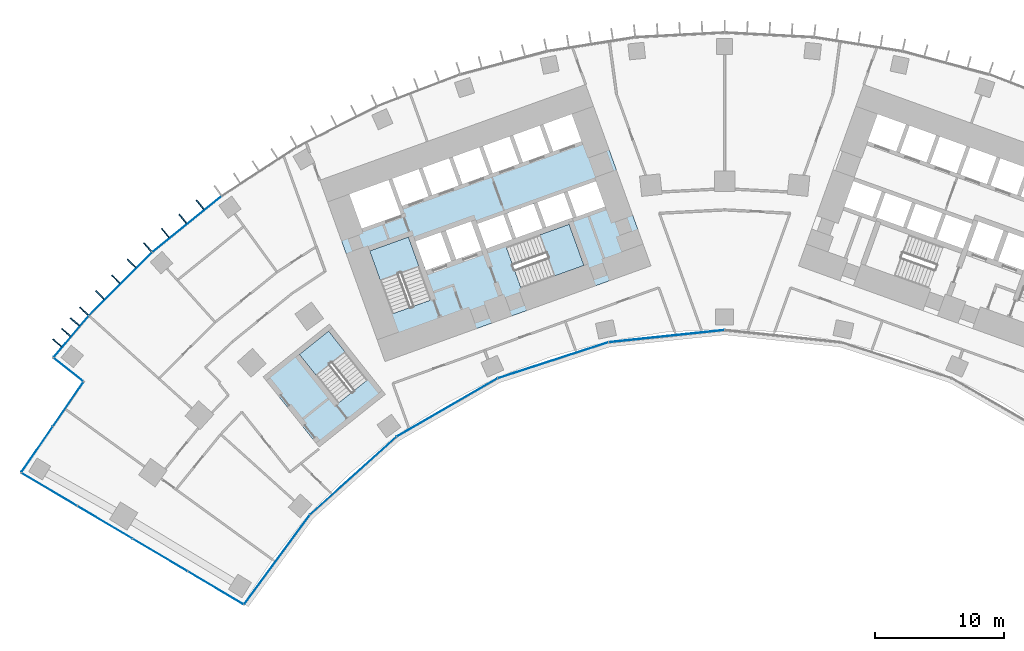
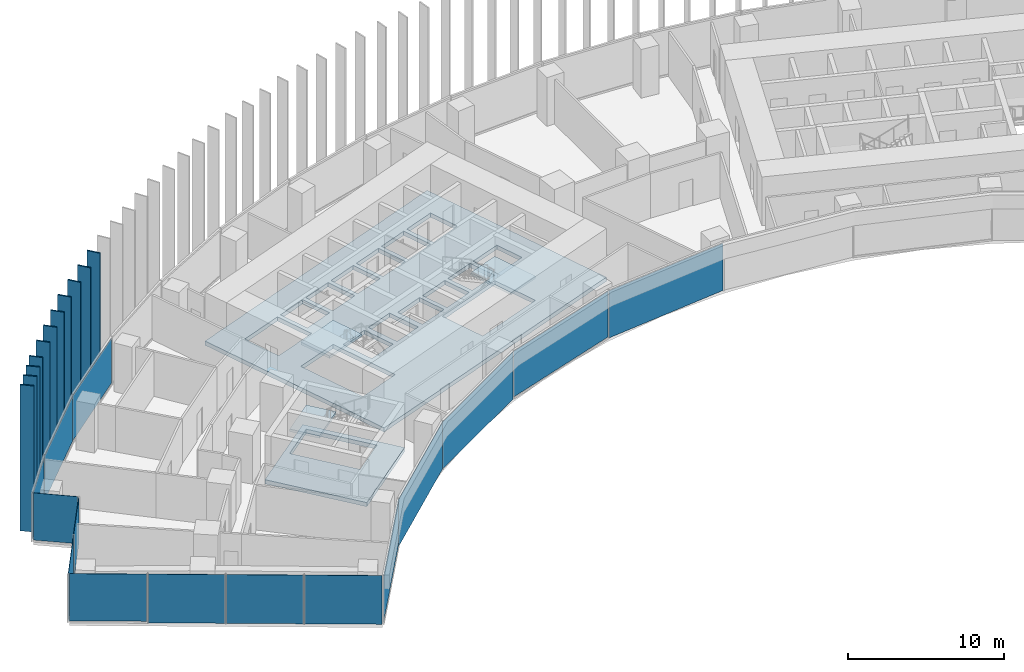
# One storey, part 15 of 25: 26 plates, 5 slabs, 8 elements without a shape of their own.
"""IFC4 building model written with IfcOpenShell, lengths in metres."""

from ifc_helpers import new_model, si_unit, direction, frame, origin, origin_2d, place, context, subcontext, project, spatial, polyline, rectangle, outline, extrude, material, layer, layer_set, type_object, element, aggregate, save


model = new_model("IFC4")

# Units and contexts
model_context = context("Model", 3, precision=1e-05, world=origin(), true_north=direction((0.0, 1.0)))
body_context = subcontext(model_context, "Body", "Model", "MODEL_VIEW")
ifc_project = project(units=[si_unit("LENGTHUNIT", "METRE"), si_unit("AREAUNIT", "SQUARE_METRE"), si_unit("VOLUMEUNIT", "CUBIC_METRE"), si_unit("PLANEANGLEUNIT", "RADIAN"), si_unit("MASSUNIT", "GRAM", prefix="KILO")], contexts=[model_context])

# Site, building, storey
site_placement = place(None, origin())
site = spatial("IfcSite", under=ifc_project, at=site_placement, CompositionType="ELEMENT")
building_placement = place(site_placement, origin())
building = spatial("IfcBuilding", under=site, at=building_placement, Name="Stone Belt Terrace Tower", CompositionType="ELEMENT")
storey_placement = place(building_placement, frame((0.0, 0.0, 52.800048828125)))
storey = spatial("IfcBuildingStorey", under=building, at=storey_placement, Name="L12", CompositionType="ELEMENT", Elevation=52.800048828125)

# Curtain wall, plates
ifc_material_1 = material(Name="Aluminium 6063-T6 anodised frame", Category="aluminium")
ifc_layer_1 = layer(ifc_material_1, 0.14990234375)
ifc_layer_set_1 = layer_set([ifc_layer_1], Name="CW-A unitised convex-face curtain wall")
curtain_wall_type_1 = type_object("IfcCurtainWallType", Name="CW-A unitised convex-face curtain wall", PredefinedType="NOTDEFINED", material=ifc_layer_set_1)
curtain_wall_1_placement = place(storey_placement, origin())
curtain_wall_1 = element("IfcCurtainWall", 1, at=curtain_wall_1_placement, inside=storey, type_object=curtain_wall_type_1, Name="CW-A convex face L12", PredefinedType="NOTDEFINED")
ifc_material_2 = material(Name="Clear double glazed unit")
ifc_layer_2 = layer(ifc_material_2, 0.031982421875)
ifc_layer_set_2 = layer_set([ifc_layer_2], Name="CW-A glass panel 32")
plate_type_1 = type_object("IfcPlateType", Name="CW-A glass panel 32", PredefinedType="CURTAIN_PANEL", material=ifc_layer_set_2)
plate_1_placement = place(storey_placement, frame((-41.839599609375, 51.667724609375, 0.139892578125), z_axis=(0.0, 0.0, 1.0), x_axis=(-0.777145961457, -0.62932039105, 0.0)))
plate_1 = element("IfcPlate", 2, at=plate_1_placement, type_object=plate_type_1, Name="CW-A panel 16.1", PredefinedType="CURTAIN_PANEL", context=body_context, shape_type="SweptSolid", body=[
    extrude(rectangle(XDim=6.90087890625, YDim=0.031982421875, at=origin_2d()), origin(), (0.0, 0.0, 1.0), 3.52001953125),
])
plate_2_placement = place(storey_placement, frame((-47.01123046875, 47.01123046875, 0.139892578125), z_axis=(0.0, 0.0, 1.0), x_axis=(-0.707106781187, -0.707106781187, 0.0)))
plate_2 = element("IfcPlate", 3, at=plate_2_placement, type_object=plate_type_1, Name="CW-A panel 17.1", PredefinedType="CURTAIN_PANEL", context=body_context, shape_type="SweptSolid", body=[
    extrude(rectangle(XDim=6.90087890625, YDim=0.031982421875, at=origin_2d()), origin(), (0.0, 0.0, 1.0), 3.52001953125),
])
plate_3_placement = place(storey_placement, frame((-50.84423828125, 42.92626953125, 0.139892578125), z_axis=(0.0, 0.0, 1.0), x_axis=(-0.645291395384, -0.763936525533, 0.0)))
plate_3 = element("IfcPlate", 4, at=plate_3_placement, type_object=plate_type_1, Name="CW-A panel 18.1", PredefinedType="CURTAIN_PANEL", context=body_context, shape_type="SweptSolid", body=[
    extrude(rectangle(XDim=4.17919921875, YDim=0.031982421875, at=origin_2d()), origin(), (0.0, 0.0, 1.0), 3.52001953125),
])
aggregate(curtain_wall_1, [plate_1, plate_2, plate_3])

ifc_layer_3 = layer(ifc_material_1, 0.14990234375)
ifc_layer_set_3 = layer_set([ifc_layer_3], Name="CW-B unitised concave-face curtain wall")
curtain_wall_type_2 = type_object("IfcCurtainWallType", Name="CW-B unitised concave-face curtain wall", PredefinedType="NOTDEFINED", material=ifc_layer_set_3)
curtain_wall_2_placement = place(storey_placement, origin())
curtain_wall_2 = element("IfcCurtainWall", 5, at=curtain_wall_2_placement, inside=storey, type_object=curtain_wall_type_2, Name="CW-B concave face L12", PredefinedType="NOTDEFINED")
ifc_layer_4 = layer(ifc_material_2, 0.030029296875)
ifc_layer_set_4 = layer_set([ifc_layer_4], Name="CW-B glass panel 30")
plate_type_2 = type_object("IfcPlateType", Name="CW-B glass panel 30", PredefinedType="CURTAIN_PANEL", material=ifc_layer_set_4)
plate_4_placement = place(storey_placement, frame((-34.831787109375, 25.57177734375, 0.119873046875), z_axis=(0.0, 0.0, 1.0), x_axis=(0.592159017675, 0.805821132626, 0.0)))
plate_4 = element("IfcPlate", 6, at=plate_4_placement, type_object=plate_type_2, Name="CW-B panel 1.1", PredefinedType="CURTAIN_PANEL", context=body_context, shape_type="SweptSolid", body=[
    extrude(rectangle(XDim=8.583984375, YDim=0.030029296875, at=origin_2d()), origin(), (0.0, 0.0, 1.0), 3.56005859375),
])
plate_5_placement = place(storey_placement, frame((-28.897705078125, 32.09375, 0.0), z_axis=(0.0, 0.0, 1.0), x_axis=(0.743144825477, 0.669130606359, 0.0)))
plate_5 = element("IfcPlate", 7, at=plate_5_placement, type_object=plate_type_2, Name="CW-B panel 2.1", PredefinedType="CURTAIN_PANEL", context=body_context, shape_type="SweptSolid", body=[
    extrude(rectangle(XDim=9.01318359375, YDim=0.030029296875, at=origin_2d()), origin(), (0.0, 0.0, 1.0), 3.679931640625),
])
plate_6_placement = place(storey_placement, frame((-21.59326171875, 37.40087890625, 0.0), z_axis=(0.0, 0.0, 1.0), x_axis=(0.866025403784, 0.5, 0.0)))
plate_6 = element("IfcPlate", 8, at=plate_6_placement, type_object=plate_type_2, Name="CW-B panel 3.1", PredefinedType="CURTAIN_PANEL", context=body_context, shape_type="SweptSolid", body=[
    extrude(rectangle(XDim=9.0126953125, YDim=0.030029296875, at=origin_2d()), origin(), (0.0, 0.0, 1.0), 3.679931640625),
])
plate_7_placement = place(storey_placement, frame((-13.345458984375, 41.072998046875, 0.119873046875), z_axis=(0.0, 0.0, 1.0), x_axis=(0.951056516295, 0.309016994375, 0.0)))
plate_7 = element("IfcPlate", 9, at=plate_7_placement, type_object=plate_type_2, Name="CW-B panel 4.1", PredefinedType="CURTAIN_PANEL", context=body_context, shape_type="SweptSolid", body=[
    extrude(rectangle(XDim=9.0126953125, YDim=0.030029296875, at=origin_2d()), origin(), (0.0, 0.0, 1.0), 3.56005859375),
])
plate_8_placement = place(storey_placement, frame((-4.51416015625, 42.9501953125, 0.0), z_axis=(0.0, 0.0, 1.0), x_axis=(0.994521895368, 0.104528463268, 0.0)))
plate_8 = element("IfcPlate", 10, at=plate_8_placement, type_object=plate_type_2, Name="CW-B panel 5.1", PredefinedType="CURTAIN_PANEL", context=body_context, shape_type="SweptSolid", body=[
    extrude(rectangle(XDim=9.0126953125, YDim=0.030029296875, at=origin_2d()), origin(), (0.0, 0.0, 1.0), 3.679931640625),
])
aggregate(curtain_wall_2, [plate_4, plate_5, plate_6, plate_7, plate_8])

# Curtain wall, plate
ifc_layer_5 = layer(ifc_material_1, 0.14990234375)
ifc_layer_set_5 = layer_set([ifc_layer_5], Name="CW-C stick curtain wall, horn ends and notches")
curtain_wall_type_3 = type_object("IfcCurtainWallType", Name="CW-C stick curtain wall, horn ends and notches", PredefinedType="NOTDEFINED", material=ifc_layer_set_5)
curtain_wall_3_placement = place(storey_placement, origin())
curtain_wall_3 = element("IfcCurtainWall", 11, at=curtain_wall_3_placement, inside=storey, type_object=curtain_wall_type_3, Name="CW-C notch face L12", PredefinedType="NOTDEFINED")
ifc_layer_6 = layer(ifc_material_2, 0.028076171875)
ifc_layer_set_6 = layer_set([ifc_layer_6], Name="CW-C glass panel 28")
plate_type_3 = type_object("IfcPlateType", Name="CW-C glass panel 28", PredefinedType="CURTAIN_PANEL", material=ifc_layer_set_6)
plate_9_placement = place(storey_placement, frame((-51.061279296875, 40.3388671875, 0.1201171875), z_axis=(0.0, 0.0, 1.0), x_axis=(0.783963828584, -0.620806504051, 0.0)))
plate_9 = element("IfcPlate", 12, at=plate_9_placement, type_object=plate_type_3, Name="CW-C panel 1.1", PredefinedType="CURTAIN_PANEL", context=body_context, shape_type="SweptSolid", body=[
    extrude(rectangle(XDim=2.859375, YDim=0.028076171875, at=origin_2d()), origin(), (0.0, 0.0, 1.0), 3.679931640625),
])
aggregate(curtain_wall_3, [plate_9])

# Curtain wall, plates
curtain_wall_4_placement = place(storey_placement, origin())
curtain_wall_4 = element("IfcCurtainWall", 13, at=curtain_wall_4_placement, inside=storey, type_object=curtain_wall_type_3, Name="CW-C notch face L12", PredefinedType="NOTDEFINED")
plate_10_placement = place(storey_placement, frame((-51.091552734375, 37.647705078125, 0.1201171875), z_axis=(0.0, 0.0, 1.0), x_axis=(-0.566375967567, -0.824146991357, 0.0)))
plate_10 = element("IfcPlate", 14, at=plate_10_placement, type_object=plate_type_3, Name="CW-C panel 1.1", PredefinedType="CURTAIN_PANEL", context=body_context, shape_type="SweptSolid", body=[
    extrude(rectangle(XDim=4.12060546875, YDim=0.028076171875, at=origin_2d()), origin(), (0.0, 0.0, 1.0), 3.679931640625),
])
plate_11_placement = place(storey_placement, frame((-53.501220703125, 34.141357421875, 0.0), z_axis=(0.0, 0.0, 1.0), x_axis=(-0.566375967567, -0.824146991357, 0.0)))
plate_11 = element("IfcPlate", 15, at=plate_11_placement, type_object=plate_type_3, Name="CW-C panel 2.1", PredefinedType="CURTAIN_PANEL", context=body_context, shape_type="SweptSolid", body=[
    extrude(rectangle(XDim=4.268798828125, YDim=0.028076171875, at=origin_2d()), origin(), (0.0, 0.0, 1.0), 3.800048828125),
])
aggregate(curtain_wall_4, [plate_10, plate_11])

curtain_wall_5_placement = place(storey_placement, origin())
curtain_wall_5 = element("IfcCurtainWall", 16, at=curtain_wall_5_placement, inside=storey, type_object=curtain_wall_type_3, Name="CW-C end face L12", PredefinedType="NOTDEFINED")
plate_12_placement = place(storey_placement, frame((-52.54736328125, 31.014892578125, 0.1201171875), z_axis=(0.0, 0.0, 1.0), x_axis=(0.860557728521, -0.509352918793, 0.0)))
plate_12 = element("IfcPlate", 17, at=plate_12_placement, type_object=plate_type_3, Name="CW-C panel 1.1", PredefinedType="CURTAIN_PANEL", context=body_context, shape_type="SweptSolid", body=[
    extrude(rectangle(XDim=4.974853515625, YDim=0.028076171875, at=origin_2d()), origin(), (0.0, 0.0, 1.0), 3.679931640625),
])
plate_13_placement = place(storey_placement, frame((-48.2294921875, 28.459228515625, 0.0), z_axis=(0.0, 0.0, 1.0), x_axis=(0.860557728521, -0.509352918793, 0.0)))
plate_13 = element("IfcPlate", 18, at=plate_13_placement, type_object=plate_type_3, Name="CW-C panel 2.1", PredefinedType="CURTAIN_PANEL", context=body_context, shape_type="SweptSolid", body=[
    extrude(rectangle(XDim=4.93994140625, YDim=0.028076171875, at=origin_2d()), origin(), (0.0, 0.0, 1.0), 3.800048828125),
])
plate_14_placement = place(storey_placement, frame((-43.9267578125, 25.912353515625, 0.0), z_axis=(0.0, 0.0, 1.0), x_axis=(0.860557728521, -0.509352918793, 0.0)))
plate_14 = element("IfcPlate", 19, at=plate_14_placement, type_object=plate_type_3, Name="CW-C panel 3.1", PredefinedType="CURTAIN_PANEL", context=body_context, shape_type="SweptSolid", body=[
    extrude(rectangle(XDim=4.93994140625, YDim=0.028076171875, at=origin_2d()), origin(), (0.0, 0.0, 1.0), 3.800048828125),
])
plate_15_placement = place(storey_placement, frame((-39.613037109375, 23.359130859375, 0.0), z_axis=(0.0, 0.0, 1.0), x_axis=(0.860557728521, -0.509352918793, 0.0)))
plate_15 = element("IfcPlate", 20, at=plate_15_placement, type_object=plate_type_3, Name="CW-C panel 4.1", PredefinedType="CURTAIN_PANEL", context=body_context, shape_type="SweptSolid", body=[
    extrude(rectangle(XDim=4.96533203125, YDim=0.028076171875, at=origin_2d()), origin(), (0.0, 0.0, 1.0), 3.800048828125),
])
aggregate(curtain_wall_5, [plate_12, plate_13, plate_14, plate_15])

# Slabs
ifc_material_3 = material(Name="Concrete B40", Category="concrete")
ifc_layer_7 = layer(ifc_material_3, 0.320068359375)
ifc_layer_set_7 = layer_set([ifc_layer_7], Name="Core floor slab 320")
slab_type_1 = type_object("IfcSlabType", Name="Core floor slab 320", PredefinedType="FLOOR", material=ifc_layer_set_7)
slab_1_placement = place(storey_placement, frame((0.0, 0.0, -0.320068359375)))
element("IfcSlab", 21, at=slab_1_placement, inside=storey, type_object=slab_type_1, Name="Core A floor L12", PredefinedType="FLOOR", context=body_context, shape_type="SweptSolid", body=[
    extrude(outline(polyline([(-26.43505859375, 40.968994140625), (-5.735107421875, 48.4189453125), (-10.81396484375, 62.531982421875), (-31.513916015625, 55.0830078125), (-26.43505859375, 40.968994140625)]), holes=[polyline([(-24.60791015625, 50.659912109375), (-22.847900390625, 45.76806640625), (-25.85888671875, 44.68408203125), (-27.618896484375, 49.575927734375), (-24.60791015625, 50.659912109375)]), polyline([(-21.27392578125, 48.778076171875), (-23.25, 48.06689453125), (-24.06298828125, 50.324951171875), (-22.0869140625, 51.035888671875), (-21.27392578125, 48.778076171875)]), polyline([(-18.922119140625, 49.6240234375), (-20.89794921875, 48.9130859375), (-21.7109375, 51.1708984375), (-19.735107421875, 51.883056640625), (-18.922119140625, 49.6240234375)]), polyline([(-19.239990234375, 51.68896484375), (-17.217041015625, 52.4169921875), (-16.52294921875, 50.488037109375), (-18.5458984375, 49.760009765625), (-19.239990234375, 51.68896484375)]), polyline([(-29.2109375, 53.9990234375), (-26.153076171875, 55.09912109375), (-25.18798828125, 52.41796875), (-28.24609375, 51.31689453125), (-29.2109375, 53.9990234375)]), polyline([(-23.801025390625, 55.946044921875), (-23.0390625, 53.8291015625), (-25.10888671875, 53.083984375), (-25.87109375, 55.200927734375), (-23.801025390625, 55.946044921875)]), polyline([(-21.447998046875, 56.7919921875), (-20.68603515625, 54.675048828125), (-22.756103515625, 53.929931640625), (-23.51806640625, 56.047119140625), (-21.447998046875, 56.7919921875)]), polyline([(-19.095947265625, 57.638916015625), (-18.333984375, 55.52197265625), (-20.404052734375, 54.777099609375), (-21.166015625, 56.89404296875), (-19.095947265625, 57.638916015625)]), polyline([(-15.846923828125, 46.69189453125), (-16.998046875, 49.89208984375), (-12.10595703125, 51.652099609375), (-10.955078125, 48.452880859375), (-15.846923828125, 46.69189453125)]), polyline([(-16.239990234375, 50.589111328125), (-16.93408203125, 52.51806640625), (-14.864013671875, 53.262939453125), (-14.169921875, 51.333984375), (-16.239990234375, 50.589111328125)]), polyline([(-11.801025390625, 52.134033203125), (-11.847900390625, 52.116943359375), (-11.864990234375, 52.1640625), (-13.887939453125, 51.43603515625), (-14.58203125, 53.364990234375), (-12.511962890625, 54.110107421875), (-11.801025390625, 52.134033203125)]), polyline([(-9.30810546875, 53.031005859375), (-11.51904296875, 52.235107421875), (-12.22998046875, 54.2109375), (-10.01904296875, 55.007080078125), (-9.30810546875, 53.031005859375)]), polyline([(-16.743896484375, 58.485107421875), (-15.98193359375, 56.367919921875), (-18.052001953125, 55.623046875), (-18.81396484375, 57.739990234375), (-16.743896484375, 58.485107421875)]), polyline([(-14.39111328125, 59.33203125), (-13.6298828125, 57.215087890625), (-15.699951171875, 56.469970703125), (-16.4609375, 58.5869140625), (-14.39111328125, 59.33203125)]), polyline([(-11.89794921875, 60.22900390625), (-11.135986328125, 58.112060546875), (-13.346923828125, 57.31591796875), (-14.10888671875, 59.43408203125), (-11.89794921875, 60.22900390625)])]), origin(), (0.0, 0.0, 1.0), 0.320068359375),
])
slab_2_placement = place(storey_placement, frame((0.0, 0.0, -0.320068359375)))
element("IfcSlab", 22, at=slab_2_placement, inside=storey, type_object=slab_type_1, Name="Exit stair ST3A floor L12", PredefinedType="FLOOR", context=body_context, shape_type="SweptSolid", body=[
    extrude(outline(polyline([(-26.39404296875, 38.425048828125), (-30.756103515625, 43.89990234375), (-35.91796875, 39.787109375), (-31.555908203125, 34.31298828125), (-26.39404296875, 38.425048828125)]), holes=[polyline([(-27.798095703125, 39.544921875), (-30.06591796875, 37.738037109375), (-33.087890625, 41.531005859375), (-30.820068359375, 43.337890625), (-27.798095703125, 39.544921875)])]), origin(), (0.0, 0.0, 1.0), 0.320068359375),
])

# Stair, slab
stair_type = type_object("IfcStairType", Name="Exit stair 1500", PredefinedType="HALF_TURN_STAIR", material=ifc_material_3)
stair_1_placement = place(storey_placement, origin())
stair_1 = element("IfcStair", 23, at=stair_1_placement, inside=storey, type_object=stair_type, Name="L12 Exit stair 1 core A", PredefinedType="HALF_TURN_STAIR")
ifc_layer_8 = layer(ifc_material_3, 0.199951171875)
ifc_layer_set_8 = layer_set([ifc_layer_8], Name="Stair landing 200")
slab_type_2 = type_object("IfcSlabType", Name="Stair landing 200", PredefinedType="LANDING", material=ifc_layer_set_8)
slab_3_placement = place(storey_placement, frame((0.0, 0.0, 1.699951171875)))
slab_3 = element("IfcSlab", 24, at=slab_3_placement, type_object=slab_type_2, Name="ST1A landing 1", PredefinedType="LANDING", context=body_context, shape_type="SweptSolid", body=[
    extrude(outline(polyline([(-23.79541015625, 48.40087890625), (-24.6083984375, 50.659912109375), (-27.619384765625, 49.576171875), (-26.806396484375, 47.3173828125), (-23.79541015625, 48.40087890625)])), origin(), (0.0, 0.0, 1.0), 0.199951171875),
])
aggregate(stair_1, [slab_3])

stair_2_placement = place(storey_placement, origin())
stair_2 = element("IfcStair", 25, at=stair_2_placement, inside=storey, type_object=stair_type, Name="L12 Exit stair 2 core A", PredefinedType="HALF_TURN_STAIR")
slab_4_placement = place(storey_placement, frame((0.0, 0.0, 1.699951171875)))
slab_4 = element("IfcSlab", 26, at=slab_4_placement, type_object=slab_type_2, Name="ST2A landing 1", PredefinedType="LANDING", context=body_context, shape_type="SweptSolid", body=[
    extrude(outline(polyline([(-13.213623046875, 47.64013671875), (-10.95458984375, 48.453125), (-12.10595703125, 51.652099609375), (-14.36474609375, 50.839111328125), (-13.213623046875, 47.64013671875)])), origin(), (0.0, 0.0, 1.0), 0.199951171875),
])
aggregate(stair_2, [slab_4])

stair_3_placement = place(storey_placement, origin())
stair_3 = element("IfcStair", 27, at=stair_3_placement, inside=storey, type_object=stair_type, Name="L12 Exit stair 3A", PredefinedType="HALF_TURN_STAIR")
slab_5_placement = place(storey_placement, frame((0.0, 0.0, 1.699951171875)))
slab_5 = element("IfcSlab", 28, at=slab_5_placement, type_object=slab_type_2, Name="ST3A landing 1", PredefinedType="LANDING", context=body_context, shape_type="SweptSolid", body=[
    extrude(outline(polyline([(-29.541748046875, 41.73388671875), (-30.819580078125, 43.337890625), (-33.087646484375, 41.53076171875), (-31.809814453125, 39.9267578125), (-29.541748046875, 41.73388671875)])), origin(), (0.0, 0.0, 1.0), 0.199951171875),
])
aggregate(stair_3, [slab_5])

# Plates
ifc_material_4 = material(Name="Terracotta coloured glazed ceramic", Category="masonry")
ifc_layer_9 = layer(ifc_material_4, 0.10009765625)
ifc_layer_set_9 = layer_set([ifc_layer_9], Name="Terracotta fin 100 x 900")
plate_type_4 = type_object("IfcPlateType", Name="Terracotta fin 100 x 900", PredefinedType="SHEET", material=ifc_layer_set_9)
for number, where, z_axis, x_axis, name in (
    (29, (-40.816162109375, 53.172119140625, 0.0), (0.0, 0.0, 1.0), (-0.62932039105, 0.777145961457, 0.0), "FIN L12 16.2"),
    (30, (-42.170166015625, 52.07568359375, 0.0), (0.0, 0.0, 1.0), (-0.62932039105, 0.777145961457, 0.0), "FIN L12 16.3"),
    (31, (-43.52392578125, 50.979248046875, 0.0), (0.0, 0.0, 1.0), (-0.62932039105, 0.777145961457, 0.0), "FIN L12 16.4"),
    (32, (-44.898681640625, 49.864990234375, 0.0), (0.0, 0.0, 1.0), (-0.669130606359, 0.743144825477, 0.0), "FIN L12 17.1"),
    (33, (-46.150390625, 48.614501953125, 0.0), (0.0, 0.0, 1.0), (-0.707106781187, 0.707106781187, 0.0), "FIN L12 17.2"),
    (34, (-47.382080078125, 47.3828125, 0.0), (0.0, 0.0, 1.0), (-0.707106781187, 0.707106781187, 0.0), "FIN L12 17.3"),
    (35, (-48.61376953125, 46.15087890625, 0.0), (0.0, 0.0, 1.0), (-0.707106781187, 0.707106781187, 0.0), "FIN L12 17.4"),
    (36, (-49.86083984375, 44.9033203125, 0.0), (0.0, 0.0, 1.0), (-0.73617076011, 0.676795842155, 0.0), "FIN L12 18.1"),
    (37, (-50.567138671875, 44.068115234375, 0.0), (0.0, 0.0, 1.0), (-0.763936525533, 0.645291395384, 0.0), "FIN L12 18.2"),
    (38, (-51.2587890625, 43.249267578125, 0.0), (0.0, 0.0, 1.0), (-0.763936525533, 0.645291395384, 0.0), "FIN L12 18.3"),
    (39, (-51.9501953125, 42.430419921875, 0.0), (0.0, 0.0, 1.0), (-0.763936525533, 0.645291395384, 0.0), "FIN L12 18.4"),
):
    element("IfcPlate", number, at=place(storey_placement, frame(where, z_axis=z_axis, x_axis=x_axis)), inside=storey, type_object=plate_type_4, Name=name, PredefinedType="SHEET", context=body_context, shape_type="SweptSolid", body=[
        extrude(rectangle(XDim=0.89990234375, YDim=0.10009765625, at=origin_2d()), origin(), (0.0, 0.0, 1.0), 11.39990234375),
    ])

save(model, "model.ifc")
